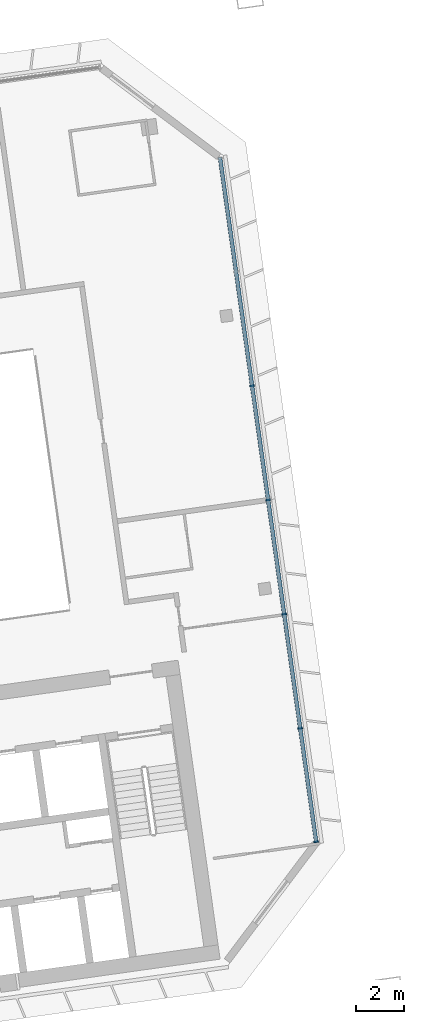
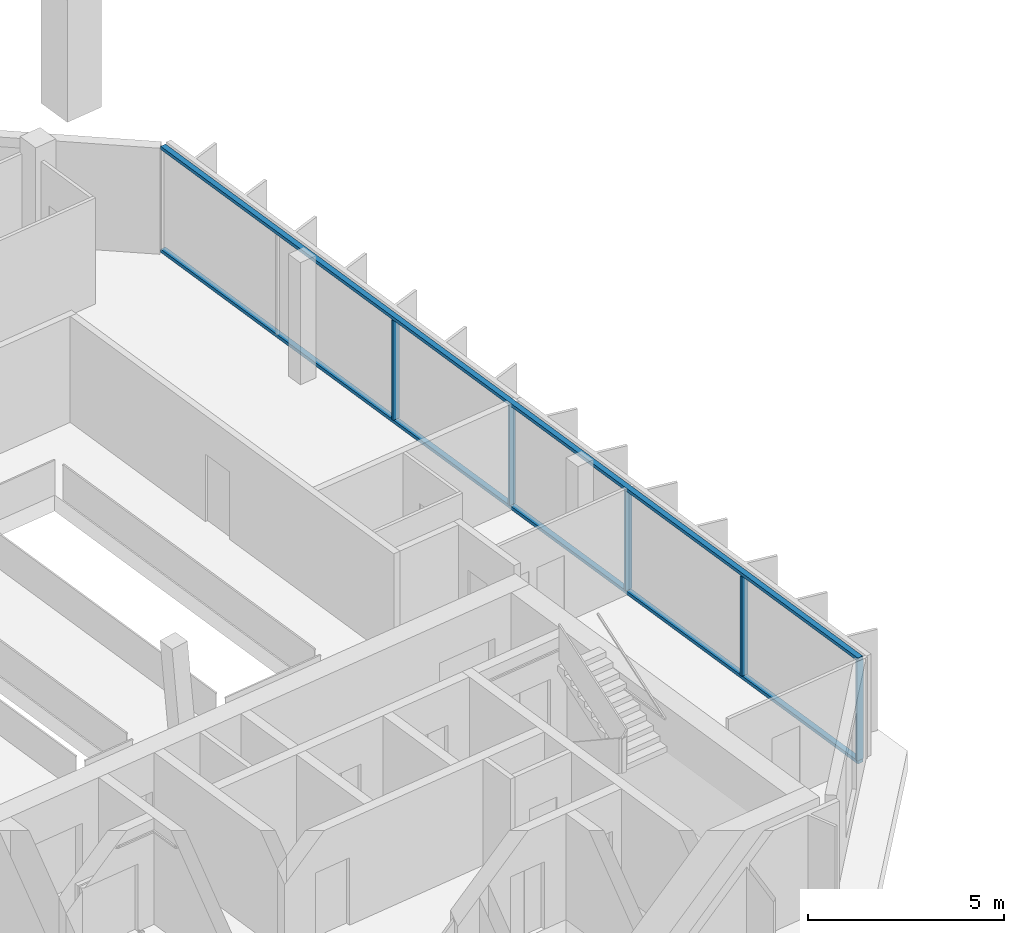
# One storey, part 11 of 30: 7 members, 1 element without a shape of its own.
"""IFC4 building model written with IfcOpenShell, lengths in metres."""

from ifc_helpers import new_model, si_unit, direction, frame, origin, origin_2d, place, context, subcontext, project, spatial, rectangle, extrude, material, material_profile, profile_set, type_object, element, aggregate, save


model = new_model("IFC4")

# Units and contexts
model_context = context("Model", 3, precision=1e-05, world=origin(), true_north=direction((0.0, 1.0)))
body_context = subcontext(model_context, "Body", "Model", "MODEL_VIEW")
ifc_project = project(units=[si_unit("LENGTHUNIT", "METRE"), si_unit("AREAUNIT", "SQUARE_METRE"), si_unit("VOLUMEUNIT", "CUBIC_METRE"), si_unit("PLANEANGLEUNIT", "RADIAN"), si_unit("MASSUNIT", "GRAM", prefix="KILO")], contexts=[model_context])

# Site, building, storey
site_placement = place(None, origin())
site = spatial("IfcSite", under=ifc_project, at=site_placement, CompositionType="ELEMENT")
building_placement = place(site_placement, origin())
building = spatial("IfcBuilding", under=site, at=building_placement, Name="Mirante Cascada Hotel Towers", CompositionType="ELEMENT")
storey_placement = place(building_placement, frame((0.0, 0.0, 258.4)))
storey = spatial("IfcBuildingStorey", under=building, at=storey_placement, Name="L62", CompositionType="ELEMENT", Elevation=258.4)

# Curtain wall, members
ifc_material_1 = material(Name="Aluminium mullion and transom frame with clear laminated glass", Category="aluminium")
curtain_wall_type = type_object("IfcCurtainWallType", Name="End ribbon curtain wall ECW2", PredefinedType="NOTDEFINED", material=ifc_material_1)
curtain_wall_placement = place(storey_placement, origin())
curtain_wall = element("IfcCurtainWall", 1, at=curtain_wall_placement, inside=storey, type_object=curtain_wall_type, Name="Outer end wall T2 L62", PredefinedType="NOTDEFINED")
ifc_material_2 = material(Name="Anodised aluminium extrusion", Category="aluminium")
ifc_material_profile_1 = material_profile(ifc_material_2, rectangle(XDim=0.2, YDim=0.065, at=origin_2d()), Name="ECW2 MULLION 65x200")
ifc_profile_set_1 = profile_set([ifc_material_profile_1], Name="Anodised aluminium extrusion")
member_type_1 = type_object("IfcMemberType", Name="ECW2 mullion 65x200", PredefinedType="MULLION", material=ifc_profile_set_1)
member_1_placement = place(storey_placement, frame((58.5935, -12.5284, 0.1), z_axis=(0.0, 0.0, 1.0), x_axis=(-0.9902681, -0.1391731, 0.0)))
member_1 = element("IfcMember", 2, at=member_1_placement, type_object=member_type_1, Name="ECW2 mullion 1", PredefinedType="MULLION", context=body_context, shape_type="SweptSolid", body=[
    extrude(rectangle(XDim=0.2, YDim=0.065, at=origin_2d()), origin(), (0.0, 0.0, 1.0), 3.1),
])
member_2_placement = place(storey_placement, frame((57.9283, -7.7948, 0.1), z_axis=(0.0, 0.0, 1.0), x_axis=(-0.9902681, -0.1391731, 0.0)))
member_2 = element("IfcMember", 3, at=member_2_placement, type_object=member_type_1, Name="ECW2 mullion 2", PredefinedType="MULLION", context=body_context, shape_type="SweptSolid", body=[
    extrude(rectangle(XDim=0.2, YDim=0.065, at=origin_2d()), origin(), (0.0, 0.0, 1.0), 3.1),
])
member_3_placement = place(storey_placement, frame((57.2585, -3.029, 0.1), z_axis=(0.0, 0.0, 1.0), x_axis=(-0.9902681, -0.1391731, 0.0)))
member_3 = element("IfcMember", 4, at=member_3_placement, type_object=member_type_1, Name="ECW2 mullion 3", PredefinedType="MULLION", context=body_context, shape_type="SweptSolid", body=[
    extrude(rectangle(XDim=0.2, YDim=0.065, at=origin_2d()), origin(), (0.0, 0.0, 1.0), 3.1),
])
member_4_placement = place(storey_placement, frame((56.5887, 1.7368, 0.1), z_axis=(0.0, 0.0, 1.0), x_axis=(-0.9902681, -0.1391731, 0.0)))
member_4 = element("IfcMember", 5, at=member_4_placement, type_object=member_type_1, Name="ECW2 mullion 4", PredefinedType="MULLION", context=body_context, shape_type="SweptSolid", body=[
    extrude(rectangle(XDim=0.2, YDim=0.065, at=origin_2d()), origin(), (0.0, 0.0, 1.0), 3.1),
])
member_5_placement = place(storey_placement, frame((55.9189, 6.5026, 0.1), z_axis=(0.0, 0.0, 1.0), x_axis=(-0.9902681, -0.1391731, 0.0)))
member_5 = element("IfcMember", 6, at=member_5_placement, type_object=member_type_1, Name="ECW2 mullion 5", PredefinedType="MULLION", context=body_context, shape_type="SweptSolid", body=[
    extrude(rectangle(XDim=0.2, YDim=0.065, at=origin_2d()), origin(), (0.0, 0.0, 1.0), 3.1),
])
ifc_material_3 = material(Name="Anodised aluminium extrusion", Category="aluminium")
ifc_material_profile_2 = material_profile(ifc_material_3, rectangle(XDim=0.16, YDim=0.1, at=origin_2d()), Name="ECW2 TRANSOM 100x160")
ifc_profile_set_2 = profile_set([ifc_material_profile_2], Name="Anodised aluminium extrusion")
member_type_2 = type_object("IfcMemberType", Name="ECW2 transom 100x160", PredefinedType="USERDEFINED", material=ifc_profile_set_2)
member_6_placement = place(storey_placement, frame((58.5981, -12.5606, 0.05), z_axis=(-0.1391752, 0.9902678, 0.0), x_axis=(-0.9902678, -0.1391752, 0.0)))
member_6 = element("IfcMember", 7, at=member_6_placement, type_object=member_type_2, Name="ECW2 sill transom", ObjectType="TRANSOM", PredefinedType="USERDEFINED", context=body_context, shape_type="SweptSolid", body=[
    extrude(rectangle(XDim=0.16, YDim=0.1, at=origin_2d()), origin(), (0.0, 0.0, 1.0), 28.8758),
])
member_7_placement = place(storey_placement, frame((58.5981, -12.5606, 3.25), z_axis=(-0.1391752, 0.9902678, 0.0), x_axis=(-0.9902678, -0.1391752, 0.0)))
member_7 = element("IfcMember", 8, at=member_7_placement, type_object=member_type_2, Name="ECW2 head transom", ObjectType="TRANSOM", PredefinedType="USERDEFINED", context=body_context, shape_type="SweptSolid", body=[
    extrude(rectangle(XDim=0.16, YDim=0.1, at=origin_2d()), origin(), (0.0, 0.0, 1.0), 28.8758),
])
aggregate(curtain_wall, [member_6, member_7, member_1, member_2, member_3, member_4, member_5])

save(model, "model.ifc")
